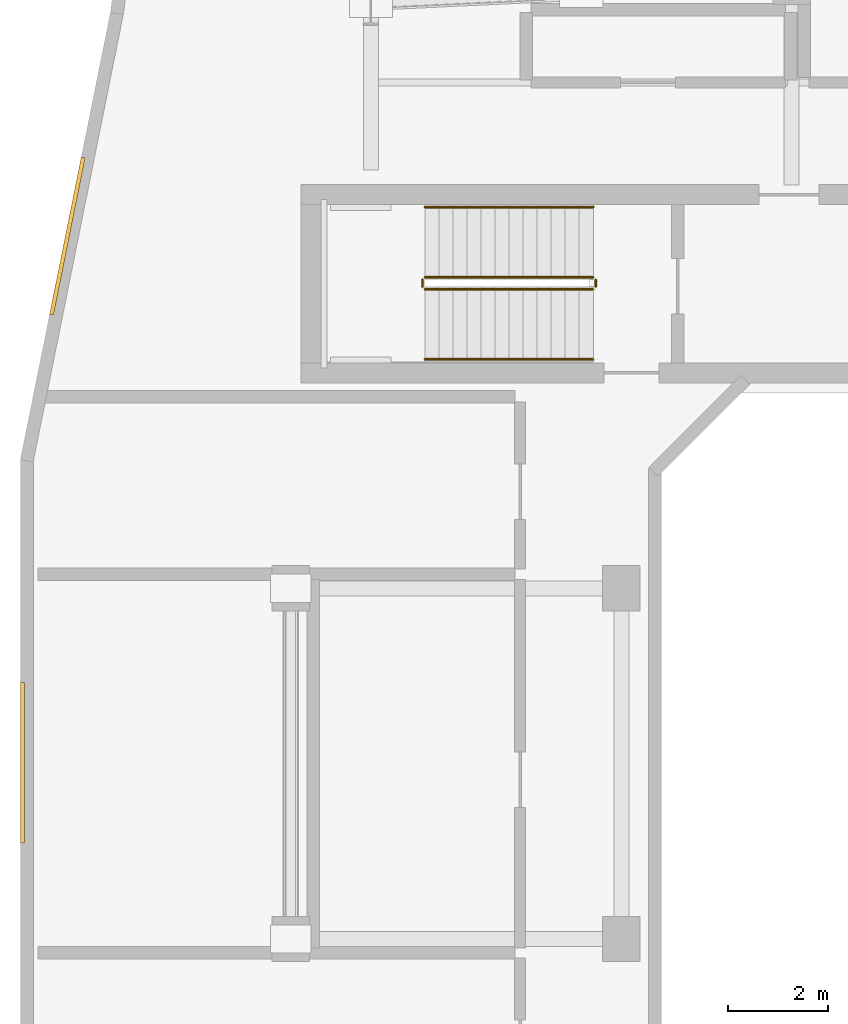
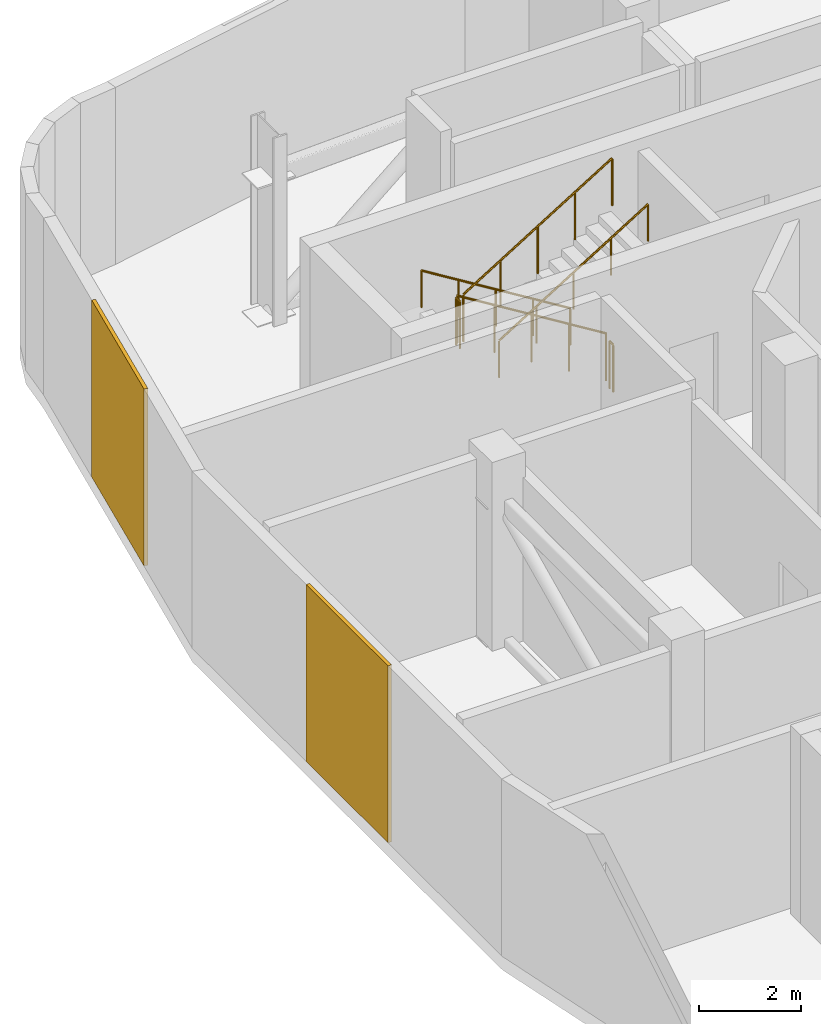
# One storey, part 8 of 9: 6 railings, 2 coverings.
"""IFC4 building model written with IfcOpenShell, lengths in metres."""

from ifc_helpers import new_model, si_unit, derived_unit, direction, frame, origin, origin_2d, place, context, subcontext, project, spatial, rectangle, circle, extrude, material, layer, layer_set, type_object, element, save


model = new_model("IFC4")

# Units and contexts
model_context = context("Model", 3, precision=1e-05, world=origin(), true_north=direction((0.0, 1.0)))
body_context = subcontext(model_context, "Body", "Model", "MODEL_VIEW")
ifc_project = project(units=[si_unit("LENGTHUNIT", "METRE"), si_unit("AREAUNIT", "SQUARE_METRE"), si_unit("VOLUMEUNIT", "CUBIC_METRE"), si_unit("PLANEANGLEUNIT", "RADIAN"), si_unit("MASSUNIT", "GRAM", prefix="KILO"), derived_unit("THERMALTRANSMITTANCEUNIT", [(si_unit("POWERUNIT", "WATT"), 1), (si_unit("LENGTHUNIT", "METRE"), -2), (si_unit("THERMODYNAMICTEMPERATUREUNIT", "KELVIN"), -1)])], contexts=[model_context])

# Site, building, storey
site_placement = place(None, origin())
site = spatial("IfcSite", under=ifc_project, at=site_placement, CompositionType="ELEMENT")
building_placement = place(site_placement, origin())
building = spatial("IfcBuilding", under=site, at=building_placement, Name="Kivonza Crest Hotel", CompositionType="ELEMENT")
storey_placement = place(building_placement, frame((0.0, 0.0, 173.0)))
storey = spatial("IfcBuildingStorey", under=building, at=storey_placement, Name="L47", CompositionType="ELEMENT", Elevation=173.0)

# Coverings
ifc_material_1 = material(Name="Anodised bronze aluminium acoustic louvre cladding", Category="aluminium")
ifc_layer = layer(ifc_material_1, 0.080078125)
ifc_layer_set = layer_set([ifc_layer], Name="Anodised bronze aluminium acoustic louvre cladding")
covering_type = type_object("IfcCoveringType", Name="CV-CLAD-80", PredefinedType="CLADDING", material=ifc_layer_set)
for number, where, z_axis, x_axis, name in (
    (1, (1.740966796875, 35.531005859375, 0.0), (0.0, 0.0, 1.0), (-0.197315149153, -0.980340110326, 0.0), "L47 T1 terracotta baguette and louvre screen 34"),
    (2, (0.840087890625, 25.01708984375, 0.0), (0.0, 0.0, 1.0), (0.0, -1.0, 0.0), "L47 T1 terracotta baguette and louvre screen 35"),
):
    element("IfcCovering", number, at=place(storey_placement, frame(where, z_axis=z_axis, x_axis=x_axis)), inside=storey, type_object=covering_type, Name=name, PredefinedType="CLADDING", context=body_context, shape_type="SweptSolid", body=[
        extrude(rectangle(XDim=3.199951171875, YDim=0.080078125, at=origin_2d()), origin(), (0.0, 0.0, 1.0), 4.219970703125),
    ])

# Railings
ifc_material_2 = material(Name="Brushed stainless steel handrail", Category="steel")
railing_type_1 = type_object("IfcRailingType", Name="RL-HAND-900", PredefinedType="HANDRAIL", material=ifc_material_2)
railing_1_placement = place(storey_placement, frame((12.239990234375, 36.110107421875, 0.173095703125)))
element("IfcRailing", 3, at=railing_1_placement, inside=storey, type_object=railing_type_1, Name="L47 ST-T1-N stair handrail 1", PredefinedType="HANDRAIL", context=body_context, shape_type="SweptSolid", body=[
    extrude(circle(Radius=0.02392578125, at=origin_2d()), frame((0.0, 0.0, 0.8759765625), z_axis=(-0.850623216509, 0.0, 0.525775754039), x_axis=(0.0, -1.0, 0.0)), (0.0, 0.0, 1.0), 3.9501953125),
    extrude(circle(Radius=0.02099609375, at=origin_2d()), origin(), (0.0, 0.0, 1.0), 0.851806640625),
    extrude(circle(Radius=0.02099609375, at=origin_2d()), frame((-0.840087890625, 0.0, 0.519287109375)), (0.0, 0.0, 1.0), 0.851806640625),
    extrude(circle(Radius=0.02099609375, at=origin_2d()), frame((-1.68017578125, 0.0, 1.03857421875)), (0.0, 0.0, 1.0), 0.851806640625),
    extrude(circle(Radius=0.02099609375, at=origin_2d()), frame((-2.52001953125, 0.0, 1.5576171875)), (0.0, 0.0, 1.0), 0.851806640625),
    extrude(circle(Radius=0.02099609375, at=origin_2d()), frame((-3.360107421875, 0.0, 2.076904296875)), (0.0, 0.0, 1.0), 0.851806640625),
])
railing_2_placement = place(storey_placement, frame((8.8798828125, 33.070068359375, 2.423095703125)))
element("IfcRailing", 4, at=railing_2_placement, inside=storey, type_object=railing_type_1, Name="L47 ST-T1-N stair handrail 2", PredefinedType="HANDRAIL", context=body_context, shape_type="SweptSolid", body=[
    extrude(circle(Radius=0.02392578125, at=origin_2d()), frame((0.0, 0.0, 0.8759765625), z_axis=(0.850623216509, 0.0, 0.525775754039), x_axis=(0.0, 1.0, 0.0)), (0.0, 0.0, 1.0), 3.9501953125),
    extrude(circle(Radius=0.02099609375, at=origin_2d()), origin(), (0.0, 0.0, 1.0), 0.851806640625),
    extrude(circle(Radius=0.02099609375, at=origin_2d()), frame((0.840087890625, 0.0, 0.519287109375)), (0.0, 0.0, 1.0), 0.851806640625),
    extrude(circle(Radius=0.02099609375, at=origin_2d()), frame((1.68017578125, 0.0, 1.03857421875)), (0.0, 0.0, 1.0), 0.851806640625),
    extrude(circle(Radius=0.02099609375, at=origin_2d()), frame((2.52001953125, 0.0, 1.5576171875)), (0.0, 0.0, 1.0), 0.851806640625),
    extrude(circle(Radius=0.02099609375, at=origin_2d()), frame((3.360107421875, 0.0, 2.076904296875)), (0.0, 0.0, 1.0), 0.851806640625),
])
ifc_material_3 = material(Name="Painted steel balustrade", Category="steel")
railing_type_2 = type_object("IfcRailingType", Name="RL-STAIR-1150", PredefinedType="BALUSTRADE", material=ifc_material_3)
railing_3_placement = place(storey_placement, frame((12.239990234375, 34.7099609375, 0.173095703125)))
element("IfcRailing", 5, at=railing_3_placement, inside=storey, type_object=railing_type_2, Name="L47 ST-T1-N stair guard 1", PredefinedType="BALUSTRADE", context=body_context, shape_type="SweptSolid", body=[
    extrude(circle(Radius=0.02392578125, at=origin_2d()), frame((0.0, 0.0, 1.1259765625), z_axis=(-0.850623216509, 0.0, 0.525775754039), x_axis=(0.0, -1.0, 0.0)), (0.0, 0.0, 1.0), 3.9501953125),
    extrude(circle(Radius=0.02099609375, at=origin_2d()), origin(), (0.0, 0.0, 1.0), 1.101806640625),
    extrude(circle(Radius=0.02099609375, at=origin_2d()), frame((-0.840087890625, 0.0, 0.519287109375)), (0.0, 0.0, 1.0), 1.101806640625),
    extrude(circle(Radius=0.02099609375, at=origin_2d()), frame((-1.68017578125, 0.0, 1.03857421875)), (0.0, 0.0, 1.0), 1.101806640625),
    extrude(circle(Radius=0.02099609375, at=origin_2d()), frame((-2.52001953125, 0.0, 1.5576171875)), (0.0, 0.0, 1.0), 1.101806640625),
    extrude(circle(Radius=0.02099609375, at=origin_2d()), frame((-3.360107421875, 0.0, 2.076904296875)), (0.0, 0.0, 1.0), 1.101806640625),
])
railing_4_placement = place(storey_placement, frame((8.830078125, 34.659912109375, 2.25)))
element("IfcRailing", 6, at=railing_4_placement, inside=storey, type_object=railing_type_2, Name="L47 ST-T1-N stair guard 2", PredefinedType="BALUSTRADE", context=body_context, shape_type="SweptSolid", body=[
    extrude(circle(Radius=0.02392578125, at=origin_2d()), frame((0.0, 0.0, 1.1259765625), z_axis=(0.0, -1.0, 0.0), x_axis=(1.0, 0.0, 0.0)), (0.0, 0.0, 1.0), 0.139892578125),
    extrude(circle(Radius=0.02099609375, at=origin_2d()), origin(), (0.0, 0.0, 1.0), 1.101806640625),
    extrude(circle(Radius=0.02099609375, at=origin_2d()), frame((0.0, -0.139892578125, 0.0)), (0.0, 0.0, 1.0), 1.101806640625),
])
railing_5_placement = place(storey_placement, frame((8.8798828125, 34.469970703125, 2.423095703125)))
element("IfcRailing", 7, at=railing_5_placement, inside=storey, type_object=railing_type_2, Name="L47 ST-T1-N stair guard 3", PredefinedType="BALUSTRADE", context=body_context, shape_type="SweptSolid", body=[
    extrude(circle(Radius=0.02392578125, at=origin_2d()), frame((0.0, 0.0, 1.1259765625), z_axis=(0.850623216509, 0.0, 0.525775754039), x_axis=(0.0, 1.0, 0.0)), (0.0, 0.0, 1.0), 3.9501953125),
    extrude(circle(Radius=0.02099609375, at=origin_2d()), origin(), (0.0, 0.0, 1.0), 1.101806640625),
    extrude(circle(Radius=0.02099609375, at=origin_2d()), frame((0.840087890625, 0.0, 0.519287109375)), (0.0, 0.0, 1.0), 1.101806640625),
    extrude(circle(Radius=0.02099609375, at=origin_2d()), frame((1.68017578125, 0.0, 1.03857421875)), (0.0, 0.0, 1.0), 1.101806640625),
    extrude(circle(Radius=0.02099609375, at=origin_2d()), frame((2.52001953125, 0.0, 1.5576171875)), (0.0, 0.0, 1.0), 1.101806640625),
    extrude(circle(Radius=0.02099609375, at=origin_2d()), frame((3.360107421875, 0.0, 2.076904296875)), (0.0, 0.0, 1.0), 1.101806640625),
])
railing_6_placement = place(storey_placement, frame((12.2900390625, 34.659912109375, 0.0)))
element("IfcRailing", 8, at=railing_6_placement, inside=storey, type_object=railing_type_2, Name="L47 ST-T1-N stair guard 4", PredefinedType="BALUSTRADE", context=body_context, shape_type="SweptSolid", body=[
    extrude(circle(Radius=0.02392578125, at=origin_2d()), frame((0.0, 0.0, 1.1259765625), z_axis=(0.0, -1.0, 0.0), x_axis=(1.0, 0.0, 0.0)), (0.0, 0.0, 1.0), 0.139892578125),
    extrude(circle(Radius=0.02099609375, at=origin_2d()), origin(), (0.0, 0.0, 1.0), 1.101806640625),
    extrude(circle(Radius=0.02099609375, at=origin_2d()), frame((0.0, -0.139892578125, 0.0)), (0.0, 0.0, 1.0), 1.101806640625),
])

save(model, "model.ifc")
